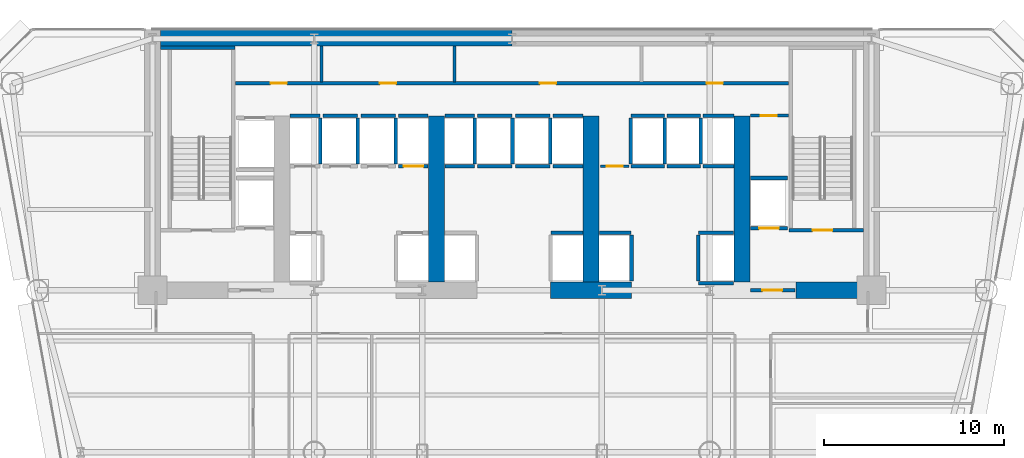
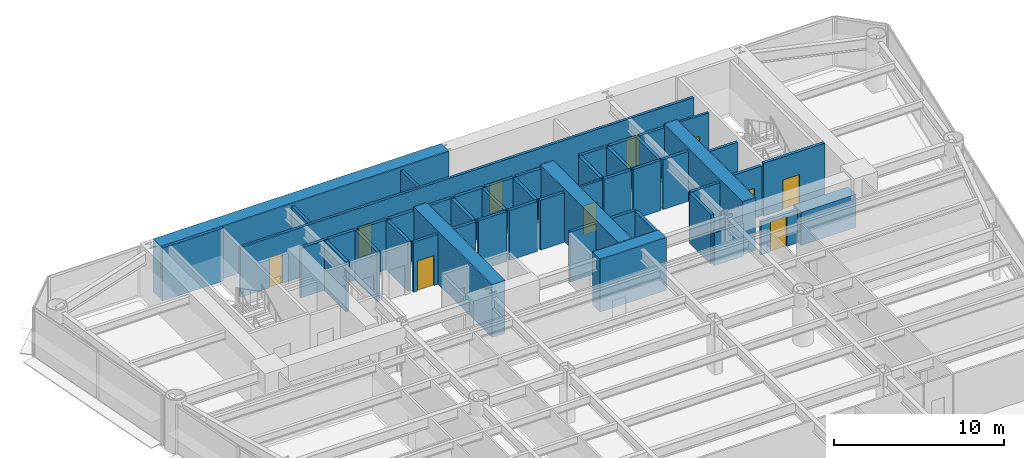
# One storey, part 9 of 14: 50 walls, 10 doors, 10 openings.
"""IFC4 building model written with IfcOpenShell, lengths in metres."""

from ifc_helpers import new_model, si_unit, direction, frame, frame_2d, origin, place, context, subcontext, project, spatial, rectangle, extrude, source, transform, mapped, material, layer, layer_set, type_object, element, fill, save


model = new_model("IFC4")

# Units and contexts
model_context = context("Model", 3, precision=1e-05, world=origin(), true_north=direction((0.0, 1.0)))
body_context = subcontext(model_context, "Body", "Model", "MODEL_VIEW")
ifc_project = project(units=[si_unit("LENGTHUNIT", "METRE"), si_unit("AREAUNIT", "SQUARE_METRE"), si_unit("VOLUMEUNIT", "CUBIC_METRE"), si_unit("PLANEANGLEUNIT", "RADIAN"), si_unit("MASSUNIT", "GRAM", prefix="KILO")], contexts=[model_context])

# Site, building, storey
site_placement = place(None, origin())
site = spatial("IfcSite", under=ifc_project, at=site_placement, CompositionType="ELEMENT")
building_placement = place(site_placement, origin())
building = spatial("IfcBuilding", under=site, at=building_placement, Name="Vaeldorn Concourse Tower", CompositionType="ELEMENT")
storey_placement = place(building_placement, frame((0.0, 0.0, 22.60009765625)))
storey = spatial("IfcBuildingStorey", under=building, at=storey_placement, Name="L05", CompositionType="ELEMENT", Elevation=22.60009765625)

# Walls
ifc_material_1 = material(Name="Concrete C60/75", Category="concrete")
ifc_layer_1 = layer(ifc_material_1, 0.89990234375)
ifc_layer_set_1 = layer_set([ifc_layer_1], Name="Concrete C60/75")
wall_type_1 = type_object("IfcWallType", Name="WL-CORE-900", PredefinedType="SHEAR", material=ifc_layer_set_1)
wall_1_placement = place(storey_placement, frame((14.4541015625, 50.550048828125, 0.0), z_axis=(0.0, 0.0, 1.0), x_axis=(1.0, 0.0, 0.0)))
element("IfcWall", 1, at=wall_1_placement, inside=storey, type_object=wall_type_1, Name="Rear Core Shear Wall L05 N1", PredefinedType="SHEAR", context=body_context, shape_type="SweptSolid", body=[
    extrude(rectangle(XDim=19.5439453125, YDim=0.89990234375, at=frame_2d((9.77197265625, 0.0))), origin(), (0.0, 0.0, 1.0), 3.7998046875),
])
wall_2_placement = place(storey_placement, frame((36.14990234375, 36.5, 0.0), z_axis=(0.0, 0.0, 1.0), x_axis=(1.0, 0.0, 0.0)))
element("IfcWall", 2, at=wall_2_placement, inside=storey, type_object=wall_type_1, Name="Rear Core Shear Wall L05 S3", PredefinedType="SHEAR", context=body_context, shape_type="SweptSolid", body=[
    extrude(rectangle(XDim=4.5, YDim=0.89990234375, at=frame_2d((2.25, 0.0))), origin(), (0.0, 0.0, 1.0), 3.7998046875),
])
wall_3_placement = place(storey_placement, frame((49.800048828125, 36.5, 0.0), z_axis=(0.0, 0.0, 1.0), x_axis=(1.0, 0.0, 0.0)))
element("IfcWall", 3, at=wall_3_placement, inside=storey, type_object=wall_type_1, Name="Rear Core Shear Wall L05 S4", PredefinedType="SHEAR", context=body_context, shape_type="SweptSolid", body=[
    extrude(rectangle(XDim=3.72998046875, YDim=0.89990234375, at=frame_2d((1.864990234375, 0.0))), origin(), (0.0, 0.0, 1.0), 2.3798828125),
])
for number, where, z_axis, x_axis, name in (
    (4, (29.800048828125, 36.969970703125, 0.0), (0.0, 0.0, 1.0), (0.0, 1.0, 0.0), "Rear Core Shear Wall L05 M2"),
    (5, (38.39990234375, 36.969970703125, 0.0), (0.0, 0.0, 1.0), (0.0, 1.0, 0.0), "Rear Core Shear Wall L05 M3"),
    (6, (46.800048828125, 36.969970703125, 0.0), (0.0, 0.0, 1.0), (0.0, 1.0, 0.0), "Rear Core Shear Wall L05 M4"),
):
    element("IfcWall", number, at=place(storey_placement, frame(where, z_axis=z_axis, x_axis=x_axis)), inside=storey, type_object=wall_type_1, Name=name, PredefinedType="SHEAR", context=body_context, shape_type="SweptSolid", body=[
        extrude(rectangle(XDim=9.22998046875, YDim=0.89990234375, at=frame_2d((4.614990234375, 0.0))), origin(), (0.0, 0.0, 1.0), 3.7998046875),
    ])

# Wall, opening, door
ifc_material_2 = material(Name="Gypsum Board Partition", Category="gypsum")
ifc_layer_2 = layer(ifc_material_2, 0.14990234375)
ifc_layer_set_2 = layer_set([ifc_layer_2], Name="Gypsum Board Partition")
wall_type_2 = type_object("IfcWallType", Name="WL-PART-150", PredefinedType="PARTITIONING", material=ifc_layer_set_2)
wall_4_placement = place(storey_placement, frame((47.280029296875, 46.219970703125, 0.0), z_axis=(0.0, 0.0, 1.0), x_axis=(1.0, 0.0, 0.0)))
wall_4 = element("IfcWall", 7, at=wall_4_placement, inside=storey, type_object=wall_type_2, Name="Interior Wall CW-L05-CRSE-N", PredefinedType="PARTITIONING", context=body_context, shape_type="SweptSolid", body=[
    extrude(rectangle(XDim=2.099853515625, YDim=0.14990234375, at=frame_2d((1.0498046875, 0.0))), origin(), (0.0, 0.0, 1.0), 3.579833984375),
])
opening_1_placement = place(wall_4_placement, frame((0.550048828125, 0.0, 0.0)))
opening_1 = element("IfcOpeningElement", 8, at=opening_1_placement, cuts=wall_4, Name="Opening D-02", PredefinedType="OPENING", context=body_context, shape_type="SweptSolid", body=[
    extrude(rectangle(XDim=0.89990234375, YDim=2.10009765625, at=frame_2d((0.449951171875, 1.050048828125))), frame((0.0, 0.0849609375, 0.0), z_axis=(0.0, -1.0, 0.0), x_axis=(1.0, 0.0, 0.0)), (0.0, 0.0, 1.0), 0.169921875),
])
ifc_material_3 = material(Name="Fire-Rated Timber Leaf", Category="wood")
door_type_1 = type_object("IfcDoorType", Name="DR-FD30-900", OperationType="NOTDEFINED", PredefinedType="DOOR", material=ifc_material_3)
shared_shape_1 = source(origin(), body_context, "Body", "SweptSolid", [
    extrude(rectangle(XDim=0.89990234375, YDim=2.10009765625, at=frame_2d((0.449951171875, 1.050048828125))), frame((0.0, 0.02490234375, 0.0), z_axis=(0.0, -1.0, 0.0), x_axis=(1.0, 0.0, 0.0)), (0.0, 0.0, 1.0), 0.050048828125),
])
door_1_placement = place(opening_1_placement, origin())
door_1 = element("IfcDoor", 9, at=door_1_placement, inside=storey, type_object=door_type_1, Name="Interior Door DR-L05-CRSE", OperationType="SINGLE_SWING_RIGHT", OverallHeight=2.10009765625, OverallWidth=0.89990234375, PredefinedType="DOOR", context=body_context, shape_type="MappedRepresentation", body=[
    mapped(shared_shape_1, transform((0.0, 0.0, 0.0), scale=1.0)),
])
fill(opening_1, door_1)

wall_5_placement = place(storey_placement, frame((38.919921875, 43.39990234375, 0.0), z_axis=(0.0, 0.0, 1.0), x_axis=(1.0, 0.0, 0.0)))
wall_5 = element("IfcWall", 10, at=wall_5_placement, inside=storey, type_object=wall_type_2, Name="Interior Wall CW-L05-CCLINK", PredefinedType="PARTITIONING", context=body_context, shape_type="SweptSolid", body=[
    extrude(rectangle(XDim=1.60009765625, YDim=0.14990234375, at=frame_2d((0.800048828125, 0.0))), origin(), (0.0, 0.0, 1.0), 3.579833984375),
])
opening_2_placement = place(wall_5_placement, frame((0.35009765625, 0.0, 0.0)))
opening_2 = element("IfcOpeningElement", 11, at=opening_2_placement, cuts=wall_5, Name="Opening D-02", PredefinedType="OPENING", context=body_context, shape_type="SweptSolid", body=[
    extrude(rectangle(XDim=0.89990234375, YDim=2.10009765625, at=frame_2d((0.449951171875, 1.050048828125))), frame((0.0, 0.0849609375, 0.0), z_axis=(0.0, -1.0, 0.0), x_axis=(1.0, 0.0, 0.0)), (0.0, 0.0, 1.0), 0.169921875),
])
door_2_placement = place(opening_2_placement, origin())
door_2 = element("IfcDoor", 12, at=door_2_placement, inside=storey, type_object=door_type_1, Name="Interior Door DR-L05-CCLINK", OperationType="SINGLE_SWING_LEFT", OverallHeight=2.10009765625, OverallWidth=0.89990234375, PredefinedType="DOOR", context=body_context, shape_type="MappedRepresentation", body=[
    mapped(shared_shape_1, transform((0.0, 0.0, 0.0), scale=1.0)),
])
fill(opening_2, door_2)

# Wall, openings, doors
ifc_layer_3 = layer(ifc_material_2, 0.179931640625)
ifc_layer_set_3 = layer_set([ifc_layer_3], Name="Gypsum Board Partition")
wall_type_3 = type_object("IfcWallType", Name="WL-PLUMB-180", PredefinedType="PLUMBINGWALL", material=ifc_layer_set_3)
wall_6_placement = place(storey_placement, frame((18.6201171875, 48.02001953125, 0.0), z_axis=(0.0, 0.0, 1.0), x_axis=(1.0, 0.0, 0.0)))
wall_6 = element("IfcWall", 13, at=wall_6_placement, inside=storey, type_object=wall_type_3, Name="Interior Wall CW-L05-NS0", PredefinedType="PLUMBINGWALL", context=body_context, shape_type="SweptSolid", body=[
    extrude(rectangle(XDim=30.759765625, YDim=0.179931640625, at=frame_2d((15.3798828125, 0.0))), origin(), (0.0, 0.0, 1.0), 3.579833984375),
])
opening_3_placement = place(wall_6_placement, frame((1.955078125, 0.0, 0.0)))
opening_3 = element("IfcOpeningElement", 14, at=opening_3_placement, cuts=wall_6, Name="Opening D-03", PredefinedType="OPENING", context=body_context, shape_type="SweptSolid", body=[
    extrude(rectangle(XDim=0.89990234375, YDim=2.14990234375, at=frame_2d((0.449951171875, 1.074951171875))), frame((0.0, 0.10009765625, 0.0), z_axis=(0.0, -1.0, 0.0), x_axis=(1.0, 0.0, 0.0)), (0.0, 0.0, 1.0), 0.199951171875),
])
opening_4_placement = place(wall_6_placement, frame((8.030029296875, 0.0, 0.0)))
opening_4 = element("IfcOpeningElement", 15, at=opening_4_placement, cuts=wall_6, Name="Opening D-03", PredefinedType="OPENING", context=body_context, shape_type="SweptSolid", body=[
    extrude(rectangle(XDim=0.89990234375, YDim=2.14990234375, at=frame_2d((0.449951171875, 1.074951171875))), frame((0.0, 0.10009765625, 0.0), z_axis=(0.0, -1.0, 0.0), x_axis=(1.0, 0.0, 0.0)), (0.0, 0.0, 1.0), 0.199951171875),
])
opening_5_placement = place(wall_6_placement, frame((16.929931640625, 0.0, 0.0)))
opening_5 = element("IfcOpeningElement", 16, at=opening_5_placement, cuts=wall_6, Name="Opening D-03", PredefinedType="OPENING", context=body_context, shape_type="SweptSolid", body=[
    extrude(rectangle(XDim=0.89990234375, YDim=2.14990234375, at=frame_2d((0.449951171875, 1.074951171875))), frame((0.0, 0.10009765625, 0.0), z_axis=(0.0, -1.0, 0.0), x_axis=(1.0, 0.0, 0.0)), (0.0, 0.0, 1.0), 0.199951171875),
])
opening_6_placement = place(wall_6_placement, frame((26.205078125, 0.0, 0.0)))
opening_6 = element("IfcOpeningElement", 17, at=opening_6_placement, cuts=wall_6, Name="Opening D-03", PredefinedType="OPENING", context=body_context, shape_type="SweptSolid", body=[
    extrude(rectangle(XDim=0.89990234375, YDim=2.14990234375, at=frame_2d((0.449951171875, 1.074951171875))), frame((0.0, 0.10009765625, 0.0), z_axis=(0.0, -1.0, 0.0), x_axis=(1.0, 0.0, 0.0)), (0.0, 0.0, 1.0), 0.199951171875),
])
ifc_material_4 = material(Name="Acoustic Bronze-Framed Glass Door", Category="glass")
door_type_2 = type_object("IfcDoorType", Name="DR-INT-900", OperationType="NOTDEFINED", PredefinedType="DOOR", material=ifc_material_4)
shared_shape_2 = source(origin(), body_context, "Body", "SweptSolid", [
    extrude(rectangle(XDim=0.89990234375, YDim=2.14990234375, at=frame_2d((0.449951171875, 1.074951171875))), frame((0.0, 0.02490234375, 0.0), z_axis=(0.0, -1.0, 0.0), x_axis=(1.0, 0.0, 0.0)), (0.0, 0.0, 1.0), 0.050048828125),
])
door_3_placement = place(opening_3_placement, origin())
door_3 = element("IfcDoor", 18, at=door_3_placement, inside=storey, type_object=door_type_2, Name="Interior Door DR-L05-CS1", OperationType="SINGLE_SWING_LEFT", OverallHeight=2.14990234375, OverallWidth=0.89990234375, PredefinedType="DOOR", context=body_context, shape_type="MappedRepresentation", body=[
    mapped(shared_shape_2, transform((0.0, 0.0, 0.0), scale=1.0)),
])
fill(opening_3, door_3)
door_4_placement = place(opening_4_placement, origin())
door_4 = element("IfcDoor", 19, at=door_4_placement, inside=storey, type_object=door_type_2, Name="Interior Door DR-L05-CS2", OperationType="SINGLE_SWING_RIGHT", OverallHeight=2.14990234375, OverallWidth=0.89990234375, PredefinedType="DOOR", context=body_context, shape_type="MappedRepresentation", body=[
    mapped(shared_shape_2, transform((0.0, 0.0, 0.0), scale=1.0)),
])
fill(opening_4, door_4)
door_5_placement = place(opening_5_placement, origin())
door_5 = element("IfcDoor", 20, at=door_5_placement, inside=storey, type_object=door_type_2, Name="Interior Door DR-L05-CS3", OperationType="SINGLE_SWING_LEFT", OverallHeight=2.14990234375, OverallWidth=0.89990234375, PredefinedType="DOOR", context=body_context, shape_type="MappedRepresentation", body=[
    mapped(shared_shape_2, transform((0.0, 0.0, 0.0), scale=1.0)),
])
fill(opening_5, door_5)
door_6_placement = place(opening_6_placement, origin())
door_6 = element("IfcDoor", 21, at=door_6_placement, inside=storey, type_object=door_type_2, Name="Interior Door DR-L05-CS4", OperationType="SINGLE_SWING_RIGHT", OverallHeight=2.14990234375, OverallWidth=0.89990234375, PredefinedType="DOOR", context=body_context, shape_type="MappedRepresentation", body=[
    mapped(shared_shape_2, transform((0.0, 0.0, 0.0), scale=1.0)),
])
fill(opening_6, door_6)

# Walls
for number, where, z_axis, x_axis, name in (
    (22, (23.39990234375, 48.10009765625, 0.0), (0.0, 0.0, 1.0), (0.0, 1.0, 0.0), "Interior Wall CW-L05-NDIV1"),
    (23, (30.800048828125, 48.10009765625, 0.0), (0.0, 0.0, 1.0), (0.0, 1.0, 0.0), "Interior Wall CW-L05-NDIV2"),
):
    element("IfcWall", number, at=place(storey_placement, frame(where, z_axis=z_axis, x_axis=x_axis)), inside=storey, type_object=wall_type_3, Name=name, PredefinedType="PLUMBINGWALL", context=body_context, shape_type="SweptSolid", body=[
        extrude(rectangle(XDim=1.97998046875, YDim=0.179931640625, at=frame_2d((0.989990234375, 0.0))), origin(), (0.0, 0.0, 1.0), 3.579833984375),
    ])
ifc_material_5 = material(Name="Concrete C50/60", Category="concrete")
ifc_layer_4 = layer(ifc_material_5, 0.199951171875)
ifc_layer_set_4 = layer_set([ifc_layer_4], Name="Concrete C50/60")
wall_type_4 = type_object("IfcWallType", Name="WL-SHAFT-200", PredefinedType="SOLIDWALL", material=ifc_layer_set_4)
wall_7_placement = place(storey_placement, frame((14.449951171875, 50.0, 0.0), z_axis=(0.0, 0.0, 1.0), x_axis=(1.0, 0.0, 0.0)))
element("IfcWall", 24, at=wall_7_placement, inside=storey, type_object=wall_type_4, Name="Stair Shaft Wall CW-L05-ST-1-N", PredefinedType="SOLIDWALL", context=body_context, shape_type="SweptSolid", body=[
    extrude(rectangle(XDim=4.150146484375, YDim=0.199951171875, at=frame_2d((2.0751953125, 0.0))), origin(), (0.0, 0.0, 1.0), 3.7998046875),
])

# Wall, opening, door
wall_8_placement = place(storey_placement, frame((49.39990234375, 39.85009765625, 0.0), z_axis=(0.0, 0.0, 1.0), x_axis=(1.0, 0.0, 0.0)))
wall_8 = element("IfcWall", 25, at=wall_8_placement, inside=storey, type_object=wall_type_4, Name="Stair Shaft Wall CW-L05-ST-2-S", PredefinedType="SOLIDWALL", context=body_context, shape_type="SweptSolid", body=[
    extrude(rectangle(XDim=4.150146484375, YDim=0.199951171875, at=frame_2d((2.0751953125, 0.0))), origin(), (0.0, 0.0, 1.0), 3.7998046875),
])
opening_7_placement = place(wall_8_placement, frame((1.324951171875, 0.0, 0.0)))
opening_7 = element("IfcOpeningElement", 26, at=opening_7_placement, cuts=wall_8, Name="Opening D-01", PredefinedType="OPENING", context=body_context, shape_type="SweptSolid", body=[
    extrude(rectangle(XDim=1.10009765625, YDim=2.14990234375, at=frame_2d((0.550048828125, 1.074951171875))), frame((0.0, 0.10986328125, 0.0), z_axis=(0.0, -1.0, 0.0), x_axis=(1.0, 0.0, 0.0)), (0.0, 0.0, 1.0), 0.219970703125),
])
ifc_material_6 = material(Name="Fire-Rated Timber and Steel Leaf", Category="steel")
door_type_3 = type_object("IfcDoorType", Name="DR-FD60-1100", OperationType="NOTDEFINED", PredefinedType="DOOR", material=ifc_material_6)
shared_shape_3 = source(origin(), body_context, "Body", "SweptSolid", [
    extrude(rectangle(XDim=1.10009765625, YDim=2.14990234375, at=frame_2d((0.550048828125, 1.074951171875))), frame((0.0, 0.02490234375, 0.0), z_axis=(0.0, -1.0, 0.0), x_axis=(1.0, 0.0, 0.0)), (0.0, 0.0, 1.0), 0.050048828125),
])
door_7_placement = place(opening_7_placement, origin())
door_7 = element("IfcDoor", 27, at=door_7_placement, inside=storey, type_object=door_type_3, Name="Interior Door DR-L05-ST-2", OperationType="SINGLE_SWING_RIGHT", OverallHeight=2.14990234375, OverallWidth=1.10009765625, PredefinedType="DOOR", context=body_context, shape_type="MappedRepresentation", body=[
    mapped(shared_shape_3, transform((0.0, 0.0, 0.0), scale=1.0)),
])
fill(opening_7, door_7)

wall_9_placement = place(storey_placement, frame((47.280029296875, 36.5, 0.0), z_axis=(0.0, 0.0, 1.0), x_axis=(1.0, 0.0, 0.0)))
wall_9 = element("IfcWall", 28, at=wall_9_placement, inside=storey, type_object=wall_type_4, Name="Interior Wall CW-L05-FF2S", PredefinedType="SOLIDWALL", context=body_context, shape_type="SweptSolid", body=[
    extrude(rectangle(XDim=2.469970703125, YDim=0.199951171875, at=frame_2d((1.23486328125, 0.0))), origin(), (0.0, 0.0, 1.0), 2.369873046875),
])
opening_8_placement = place(wall_9_placement, frame((0.64990234375, 0.0, 0.0)))
opening_8 = element("IfcOpeningElement", 29, at=opening_8_placement, cuts=wall_9, Name="Opening D-01", PredefinedType="OPENING", context=body_context, shape_type="SweptSolid", body=[
    extrude(rectangle(XDim=1.10009765625, YDim=2.14990234375, at=frame_2d((0.550048828125, 1.074951171875))), frame((0.0, 0.10986328125, 0.0), z_axis=(0.0, -1.0, 0.0), x_axis=(1.0, 0.0, 0.0)), (0.0, 0.0, 1.0), 0.219970703125),
])
door_8_placement = place(opening_8_placement, origin())
door_8 = element("IfcDoor", 30, at=door_8_placement, inside=storey, type_object=door_type_3, Name="Interior Door DR-L05-FF2W", OperationType="SINGLE_SWING_LEFT", OverallHeight=2.14990234375, OverallWidth=1.10009765625, PredefinedType="DOOR", context=body_context, shape_type="MappedRepresentation", body=[
    mapped(shared_shape_3, transform((0.0, 0.0, 0.0), scale=1.0)),
])
fill(opening_8, door_8)

# Walls
wall_10_placement = place(storey_placement, frame((21.659912109375, 46.199951171875, 0.0), z_axis=(0.0, 0.0, 1.0), x_axis=(1.0, 0.0, 0.0)))
element("IfcWall", 31, at=wall_10_placement, inside=storey, type_object=wall_type_4, Name="Interior Wall CW-L05-LFB-LF-03", PredefinedType="SOLIDWALL", context=body_context, shape_type="SweptSolid", body=[
    extrude(rectangle(XDim=1.650146484375, YDim=0.199951171875, at=frame_2d((0.8251953125, 0.0))), origin(), (0.0, 0.0, 1.0), 3.579833984375),
])
wall_11_placement = place(storey_placement, frame((23.330078125, 43.52001953125, 0.0), z_axis=(0.0, 0.0, 1.0), x_axis=(0.0, 1.0, 0.0)))
element("IfcWall", 32, at=wall_11_placement, inside=storey, type_object=wall_type_4, Name="Interior Wall CW-L05-LFE-LF-03", PredefinedType="SOLIDWALL", context=body_context, shape_type="SweptSolid", body=[
    extrude(rectangle(XDim=2.56005859375, YDim=0.199951171875, at=frame_2d((1.280029296875, 0.0))), origin(), (0.0, 0.0, 1.0), 3.579833984375),
])
wall_12_placement = place(storey_placement, frame((23.489990234375, 46.199951171875, 0.0), z_axis=(0.0, 0.0, 1.0), x_axis=(1.0, 0.0, 0.0)))
element("IfcWall", 33, at=wall_12_placement, inside=storey, type_object=wall_type_4, Name="Interior Wall CW-L05-LFB-LF-04", PredefinedType="SOLIDWALL", context=body_context, shape_type="SweptSolid", body=[
    extrude(rectangle(XDim=1.919921875, YDim=0.199951171875, at=frame_2d((0.9599609375, 0.0))), origin(), (0.0, 0.0, 1.0), 3.579833984375),
])
wall_13_placement = place(storey_placement, frame((25.429931640625, 43.52001953125, 0.0), z_axis=(0.0, 0.0, 1.0), x_axis=(0.0, 1.0, 0.0)))
element("IfcWall", 34, at=wall_13_placement, inside=storey, type_object=wall_type_4, Name="Interior Wall CW-L05-LFE-LF-04", PredefinedType="SOLIDWALL", context=body_context, shape_type="SweptSolid", body=[
    extrude(rectangle(XDim=2.56005859375, YDim=0.199951171875, at=frame_2d((1.280029296875, 0.0))), origin(), (0.0, 0.0, 1.0), 3.579833984375),
])
wall_14_placement = place(storey_placement, frame((25.590087890625, 46.199951171875, 0.0), z_axis=(0.0, 0.0, 1.0), x_axis=(1.0, 0.0, 0.0)))
element("IfcWall", 35, at=wall_14_placement, inside=storey, type_object=wall_type_4, Name="Interior Wall CW-L05-LFB-LF-05", PredefinedType="SOLIDWALL", context=body_context, shape_type="SweptSolid", body=[
    extrude(rectangle(XDim=1.919921875, YDim=0.199951171875, at=frame_2d((0.9599609375, 0.0))), origin(), (0.0, 0.0, 1.0), 3.579833984375),
])
wall_15_placement = place(storey_placement, frame((27.530029296875, 43.52001953125, 0.0), z_axis=(0.0, 0.0, 1.0), x_axis=(0.0, 1.0, 0.0)))
element("IfcWall", 36, at=wall_15_placement, inside=storey, type_object=wall_type_4, Name="Interior Wall CW-L05-LFE-LF-05", PredefinedType="SOLIDWALL", context=body_context, shape_type="SweptSolid", body=[
    extrude(rectangle(XDim=2.56005859375, YDim=0.199951171875, at=frame_2d((1.280029296875, 0.0))), origin(), (0.0, 0.0, 1.0), 3.579833984375),
])

# Wall, opening, door
wall_16_placement = place(storey_placement, frame((27.68994140625, 43.39990234375, 0.0), z_axis=(0.0, 0.0, 1.0), x_axis=(1.0, 0.0, 0.0)))
wall_16 = element("IfcWall", 37, at=wall_16_placement, inside=storey, type_object=wall_type_4, Name="Interior Wall CW-L05-LF-LF-06", PredefinedType="SOLIDWALL", context=body_context, shape_type="SweptSolid", body=[
    extrude(rectangle(XDim=1.650146484375, YDim=0.199951171875, at=frame_2d((0.8251953125, 0.0))), origin(), (0.0, 0.0, 1.0), 3.579833984375),
])
opening_9_placement = place(wall_16_placement, frame((0.27490234375, 0.0, 0.0)))
opening_9 = element("IfcOpeningElement", 38, at=opening_9_placement, cuts=wall_16, Name="Opening LD-1", PredefinedType="OPENING", context=body_context, shape_type="SweptSolid", body=[
    extrude(rectangle(XDim=1.10009765625, YDim=2.14990234375, at=frame_2d((0.550048828125, 1.074951171875))), frame((0.0, 0.10986328125, 0.0), z_axis=(0.0, -1.0, 0.0), x_axis=(1.0, 0.0, 0.0)), (0.0, 0.0, 1.0), 0.219970703125),
])
ifc_material_7 = material(Name="Anodised Bronze Aluminium", Category="aluminium")
door_type_4 = type_object("IfcDoorType", Name="DR-LIFT-SLIDE-1100", OperationType="DOUBLE_DOOR_SLIDING", PredefinedType="DOOR", material=ifc_material_7)
door_9_placement = place(opening_9_placement, origin())
door_9 = element("IfcDoor", 39, at=door_9_placement, inside=storey, type_object=door_type_4, Name="Lift Landing Door LD-L05-LF-06", OperationType="DOUBLE_DOOR_SLIDING", OverallHeight=2.14990234375, OverallWidth=1.10009765625, PredefinedType="DOOR", context=body_context, shape_type="MappedRepresentation", body=[
    mapped(shared_shape_3, transform((0.0, 0.0, 0.0), scale=1.0)),
])
fill(opening_9, door_9)

# Walls
wall_17_placement = place(storey_placement, frame((27.68994140625, 46.199951171875, 0.0), z_axis=(0.0, 0.0, 1.0), x_axis=(1.0, 0.0, 0.0)))
element("IfcWall", 40, at=wall_17_placement, inside=storey, type_object=wall_type_4, Name="Interior Wall CW-L05-LFB-LF-06", PredefinedType="SOLIDWALL", context=body_context, shape_type="SweptSolid", body=[
    extrude(rectangle(XDim=1.650146484375, YDim=0.199951171875, at=frame_2d((0.8251953125, 0.0))), origin(), (0.0, 0.0, 1.0), 3.579833984375),
])
wall_18_placement = place(storey_placement, frame((36.169921875, 39.699951171875, 0.0), z_axis=(0.0, 0.0, 1.0), x_axis=(1.0, 0.0, 0.0)))
element("IfcWall", 41, at=wall_18_placement, inside=storey, type_object=wall_type_4, Name="Interior Wall CW-L05-LF-LF-08", PredefinedType="SOLIDWALL", context=body_context, shape_type="SweptSolid", body=[
    extrude(rectangle(XDim=1.77001953125, YDim=0.199951171875, at=frame_2d((0.885009765625, 0.0))), origin(), (0.0, 0.0, 1.0), 3.579833984375),
])
for number, where, z_axis, x_axis, name in (
    (42, (30.260009765625, 43.39990234375, 0.0), (0.0, 0.0, 1.0), (1.0, 0.0, 0.0), "Interior Wall CW-L05-LF-LF-09"),
    (43, (30.260009765625, 46.199951171875, 0.0), (0.0, 0.0, 1.0), (1.0, 0.0, 0.0), "Interior Wall CW-L05-LFB-LF-09"),
):
    element("IfcWall", number, at=place(storey_placement, frame(where, z_axis=z_axis, x_axis=x_axis)), inside=storey, type_object=wall_type_4, Name=name, PredefinedType="SOLIDWALL", context=body_context, shape_type="SweptSolid", body=[
        extrude(rectangle(XDim=1.64990234375, YDim=0.199951171875, at=frame_2d((0.824951171875, 0.0))), origin(), (0.0, 0.0, 1.0), 3.579833984375),
    ])
wall_19_placement = place(storey_placement, frame((31.929931640625, 43.52001953125, 0.0), z_axis=(0.0, 0.0, 1.0), x_axis=(0.0, 1.0, 0.0)))
element("IfcWall", 44, at=wall_19_placement, inside=storey, type_object=wall_type_4, Name="Interior Wall CW-L05-LFE-LF-09", PredefinedType="SOLIDWALL", context=body_context, shape_type="SweptSolid", body=[
    extrude(rectangle(XDim=2.56005859375, YDim=0.199951171875, at=frame_2d((1.280029296875, 0.0))), origin(), (0.0, 0.0, 1.0), 3.579833984375),
])
for number, where, z_axis, x_axis, name in (
    (45, (32.090087890625, 43.39990234375, 0.0), (0.0, 0.0, 1.0), (1.0, 0.0, 0.0), "Interior Wall CW-L05-LF-LF-10"),
    (46, (32.090087890625, 46.199951171875, 0.0), (0.0, 0.0, 1.0), (1.0, 0.0, 0.0), "Interior Wall CW-L05-LFB-LF-10"),
):
    element("IfcWall", number, at=place(storey_placement, frame(where, z_axis=z_axis, x_axis=x_axis)), inside=storey, type_object=wall_type_4, Name=name, PredefinedType="SOLIDWALL", context=body_context, shape_type="SweptSolid", body=[
        extrude(rectangle(XDim=1.919921875, YDim=0.199951171875, at=frame_2d((0.9599609375, 0.0))), origin(), (0.0, 0.0, 1.0), 3.579833984375),
    ])
wall_20_placement = place(storey_placement, frame((34.030029296875, 43.52001953125, 0.0), z_axis=(0.0, 0.0, 1.0), x_axis=(0.0, 1.0, 0.0)))
element("IfcWall", 47, at=wall_20_placement, inside=storey, type_object=wall_type_4, Name="Interior Wall CW-L05-LFE-LF-10", PredefinedType="SOLIDWALL", context=body_context, shape_type="SweptSolid", body=[
    extrude(rectangle(XDim=2.56005859375, YDim=0.199951171875, at=frame_2d((1.280029296875, 0.0))), origin(), (0.0, 0.0, 1.0), 3.579833984375),
])
for number, where, z_axis, x_axis, name in (
    (48, (34.18994140625, 43.39990234375, 0.0), (0.0, 0.0, 1.0), (1.0, 0.0, 0.0), "Interior Wall CW-L05-LF-LF-11"),
    (49, (34.18994140625, 46.199951171875, 0.0), (0.0, 0.0, 1.0), (1.0, 0.0, 0.0), "Interior Wall CW-L05-LFB-LF-11"),
):
    element("IfcWall", number, at=place(storey_placement, frame(where, z_axis=z_axis, x_axis=x_axis)), inside=storey, type_object=wall_type_4, Name=name, PredefinedType="SOLIDWALL", context=body_context, shape_type="SweptSolid", body=[
        extrude(rectangle(XDim=1.920166015625, YDim=0.199951171875, at=frame_2d((0.9599609375, 0.0))), origin(), (0.0, 0.0, 1.0), 3.579833984375),
    ])
wall_21_placement = place(storey_placement, frame((36.1298828125, 43.52001953125, 0.0), z_axis=(0.0, 0.0, 1.0), x_axis=(0.0, 1.0, 0.0)))
element("IfcWall", 50, at=wall_21_placement, inside=storey, type_object=wall_type_4, Name="Interior Wall CW-L05-LFE-LF-11", PredefinedType="SOLIDWALL", context=body_context, shape_type="SweptSolid", body=[
    extrude(rectangle(XDim=2.56005859375, YDim=0.199951171875, at=frame_2d((1.280029296875, 0.0))), origin(), (0.0, 0.0, 1.0), 3.579833984375),
])
for number, where, z_axis, x_axis, name in (
    (51, (36.2900390625, 43.39990234375, 0.0), (0.0, 0.0, 1.0), (1.0, 0.0, 0.0), "Interior Wall CW-L05-LF-LF-12"),
    (52, (36.2900390625, 46.199951171875, 0.0), (0.0, 0.0, 1.0), (1.0, 0.0, 0.0), "Interior Wall CW-L05-LFB-LF-12"),
):
    element("IfcWall", number, at=place(storey_placement, frame(where, z_axis=z_axis, x_axis=x_axis)), inside=storey, type_object=wall_type_4, Name=name, PredefinedType="SOLIDWALL", context=body_context, shape_type="SweptSolid", body=[
        extrude(rectangle(XDim=1.64990234375, YDim=0.199951171875, at=frame_2d((0.824951171875, 0.0))), origin(), (0.0, 0.0, 1.0), 3.579833984375),
    ])
wall_22_placement = place(storey_placement, frame((38.860107421875, 39.699951171875, 0.0), z_axis=(0.0, 0.0, 1.0), x_axis=(1.0, 0.0, 0.0)))
element("IfcWall", 53, at=wall_22_placement, inside=storey, type_object=wall_type_4, Name="Interior Wall CW-L05-LF-LF-13", PredefinedType="SOLIDWALL", context=body_context, shape_type="SweptSolid", body=[
    extrude(rectangle(XDim=1.769775390625, YDim=0.199951171875, at=frame_2d((0.884765625, 0.0))), origin(), (0.0, 0.0, 1.0), 3.579833984375),
])
wall_23_placement = place(storey_placement, frame((40.64990234375, 37.02001953125, 0.0), z_axis=(0.0, 0.0, 1.0), x_axis=(0.0, 1.0, 0.0)))
element("IfcWall", 54, at=wall_23_placement, inside=storey, type_object=wall_type_4, Name="Interior Wall CW-L05-LFE-LF-13", PredefinedType="SOLIDWALL", context=body_context, shape_type="SweptSolid", body=[
    extrude(rectangle(XDim=2.56005859375, YDim=0.199951171875, at=frame_2d((1.280029296875, 0.0))), origin(), (0.0, 0.0, 1.0), 3.579833984375),
])
wall_24_placement = place(storey_placement, frame((44.3701171875, 39.699951171875, 0.0), z_axis=(0.0, 0.0, 1.0), x_axis=(1.0, 0.0, 0.0)))
element("IfcWall", 55, at=wall_24_placement, inside=storey, type_object=wall_type_4, Name="Interior Wall CW-L05-LF-LF-14", PredefinedType="SOLIDWALL", context=body_context, shape_type="SweptSolid", body=[
    extrude(rectangle(XDim=1.9599609375, YDim=0.199951171875, at=frame_2d((0.97998046875, 0.0))), origin(), (0.0, 0.0, 1.0), 3.579833984375),
])
wall_25_placement = place(storey_placement, frame((44.3701171875, 36.89990234375, 0.0), z_axis=(0.0, 0.0, 1.0), x_axis=(1.0, 0.0, 0.0)))
element("IfcWall", 56, at=wall_25_placement, inside=storey, type_object=wall_type_4, Name="Interior Wall CW-L05-LFB-LF-14", PredefinedType="SOLIDWALL", context=body_context, shape_type="SweptSolid", body=[
    extrude(rectangle(XDim=1.9599609375, YDim=0.199951171875, at=frame_2d((0.97998046875, 0.0))), origin(), (0.0, 0.0, 1.0), 2.369873046875),
])
wall_26_placement = place(storey_placement, frame((44.35009765625, 37.02001953125, 0.0), z_axis=(0.0, 0.0, 1.0), x_axis=(0.0, 1.0, 0.0)))
element("IfcWall", 57, at=wall_26_placement, inside=storey, type_object=wall_type_4, Name="Interior Wall CW-L05-LFW-LF-14", PredefinedType="SOLIDWALL", context=body_context, shape_type="SweptSolid", body=[
    extrude(rectangle(XDim=2.56005859375, YDim=0.199951171875, at=frame_2d((1.280029296875, 0.0))), origin(), (0.0, 0.0, 1.0), 3.579833984375),
])
for number, where, z_axis, x_axis, name in (
    (58, (40.6201171875, 43.39990234375, 0.0), (0.0, 0.0, 1.0), (1.0, 0.0, 0.0), "Interior Wall CW-L05-LF-LF-15"),
    (59, (40.6201171875, 46.199951171875, 0.0), (0.0, 0.0, 1.0), (1.0, 0.0, 0.0), "Interior Wall CW-L05-LFB-LF-15"),
):
    element("IfcWall", number, at=place(storey_placement, frame(where, z_axis=z_axis, x_axis=x_axis)), inside=storey, type_object=wall_type_4, Name=name, PredefinedType="SOLIDWALL", context=body_context, shape_type="SweptSolid", body=[
        extrude(rectangle(XDim=1.85986328125, YDim=0.199951171875, at=frame_2d((0.929931640625, 0.0))), origin(), (0.0, 0.0, 1.0), 3.579833984375),
    ])
for number, where, z_axis, x_axis, name in (
    (60, (40.60009765625, 43.52001953125, 0.0), (0.0, 0.0, 1.0), (0.0, 1.0, 0.0), "Interior Wall CW-L05-LFW-LF-15"),
    (61, (42.5, 43.52001953125, 0.0), (0.0, 0.0, 1.0), (0.0, 1.0, 0.0), "Interior Wall CW-L05-LFE-LF-15"),
):
    element("IfcWall", number, at=place(storey_placement, frame(where, z_axis=z_axis, x_axis=x_axis)), inside=storey, type_object=wall_type_4, Name=name, PredefinedType="SOLIDWALL", context=body_context, shape_type="SweptSolid", body=[
        extrude(rectangle(XDim=2.56005859375, YDim=0.199951171875, at=frame_2d((1.280029296875, 0.0))), origin(), (0.0, 0.0, 1.0), 3.579833984375),
    ])
for number, where, z_axis, x_axis, name in (
    (62, (42.6201171875, 43.39990234375, 0.0), (0.0, 0.0, 1.0), (1.0, 0.0, 0.0), "Interior Wall CW-L05-LF-LF-16"),
    (63, (42.6201171875, 46.199951171875, 0.0), (0.0, 0.0, 1.0), (1.0, 0.0, 0.0), "Interior Wall CW-L05-LFB-LF-16"),
):
    element("IfcWall", number, at=place(storey_placement, frame(where, z_axis=z_axis, x_axis=x_axis)), inside=storey, type_object=wall_type_4, Name=name, PredefinedType="SOLIDWALL", context=body_context, shape_type="SweptSolid", body=[
        extrude(rectangle(XDim=1.85986328125, YDim=0.199951171875, at=frame_2d((0.929931640625, 0.0))), origin(), (0.0, 0.0, 1.0), 3.579833984375),
    ])
wall_27_placement = place(storey_placement, frame((44.5, 43.52001953125, 0.0), z_axis=(0.0, 0.0, 1.0), x_axis=(0.0, 1.0, 0.0)))
element("IfcWall", 64, at=wall_27_placement, inside=storey, type_object=wall_type_4, Name="Interior Wall CW-L05-LFE-LF-16", PredefinedType="SOLIDWALL", context=body_context, shape_type="SweptSolid", body=[
    extrude(rectangle(XDim=2.56005859375, YDim=0.199951171875, at=frame_2d((1.280029296875, 0.0))), origin(), (0.0, 0.0, 1.0), 3.579833984375),
])
for number, where, z_axis, x_axis, name in (
    (65, (44.6201171875, 43.39990234375, 0.0), (0.0, 0.0, 1.0), (1.0, 0.0, 0.0), "Interior Wall CW-L05-LF-LF-17"),
    (66, (44.6201171875, 46.199951171875, 0.0), (0.0, 0.0, 1.0), (1.0, 0.0, 0.0), "Interior Wall CW-L05-LFB-LF-17"),
):
    element("IfcWall", number, at=place(storey_placement, frame(where, z_axis=z_axis, x_axis=x_axis)), inside=storey, type_object=wall_type_4, Name=name, PredefinedType="SOLIDWALL", context=body_context, shape_type="SweptSolid", body=[
        extrude(rectangle(XDim=1.719970703125, YDim=0.199951171875, at=frame_2d((0.85986328125, 0.0))), origin(), (0.0, 0.0, 1.0), 3.579833984375),
    ])

# Wall, opening, door
wall_28_placement = place(storey_placement, frame((47.260009765625, 39.949951171875, 0.0), z_axis=(0.0, 0.0, 1.0), x_axis=(1.0, 0.0, 0.0)))
wall_28 = element("IfcWall", 67, at=wall_28_placement, inside=storey, type_object=wall_type_4, Name="Interior Wall CW-L05-LF-LF-FF2", PredefinedType="SOLIDWALL", context=body_context, shape_type="SweptSolid", body=[
    extrude(rectangle(XDim=2.070068359375, YDim=0.199951171875, at=frame_2d((1.03515625, 0.0))), origin(), (0.0, 0.0, 1.0), 3.579833984375),
])
opening_10_placement = place(wall_28_placement, frame((0.485107421875, 0.0, 0.0)))
opening_10 = element("IfcOpeningElement", 68, at=opening_10_placement, cuts=wall_28, Name="Opening LD-1", PredefinedType="OPENING", context=body_context, shape_type="SweptSolid", body=[
    extrude(rectangle(XDim=1.10009765625, YDim=2.14990234375, at=frame_2d((0.550048828125, 1.074951171875))), frame((0.0, 0.10986328125, 0.0), z_axis=(0.0, -1.0, 0.0), x_axis=(1.0, 0.0, 0.0)), (0.0, 0.0, 1.0), 0.219970703125),
])
door_10_placement = place(opening_10_placement, origin())
door_10 = element("IfcDoor", 69, at=door_10_placement, inside=storey, type_object=door_type_4, Name="Lift Landing Door LD-L05-LF-FF2", OperationType="DOUBLE_DOOR_SLIDING", OverallHeight=2.14990234375, OverallWidth=1.10009765625, PredefinedType="DOOR", context=body_context, shape_type="MappedRepresentation", body=[
    mapped(shared_shape_3, transform((0.0, 0.0, 0.0), scale=1.0)),
])
fill(opening_10, door_10)

# Wall
wall_29_placement = place(storey_placement, frame((47.260009765625, 42.75, 0.0), z_axis=(0.0, 0.0, 1.0), x_axis=(1.0, 0.0, 0.0)))
element("IfcWall", 70, at=wall_29_placement, inside=storey, type_object=wall_type_4, Name="Interior Wall CW-L05-LFB-LF-FF2", PredefinedType="SOLIDWALL", context=body_context, shape_type="SweptSolid", body=[
    extrude(rectangle(XDim=2.070068359375, YDim=0.199951171875, at=frame_2d((1.03515625, 0.0))), origin(), (0.0, 0.0, 1.0), 3.579833984375),
])

save(model, "model.ifc")
